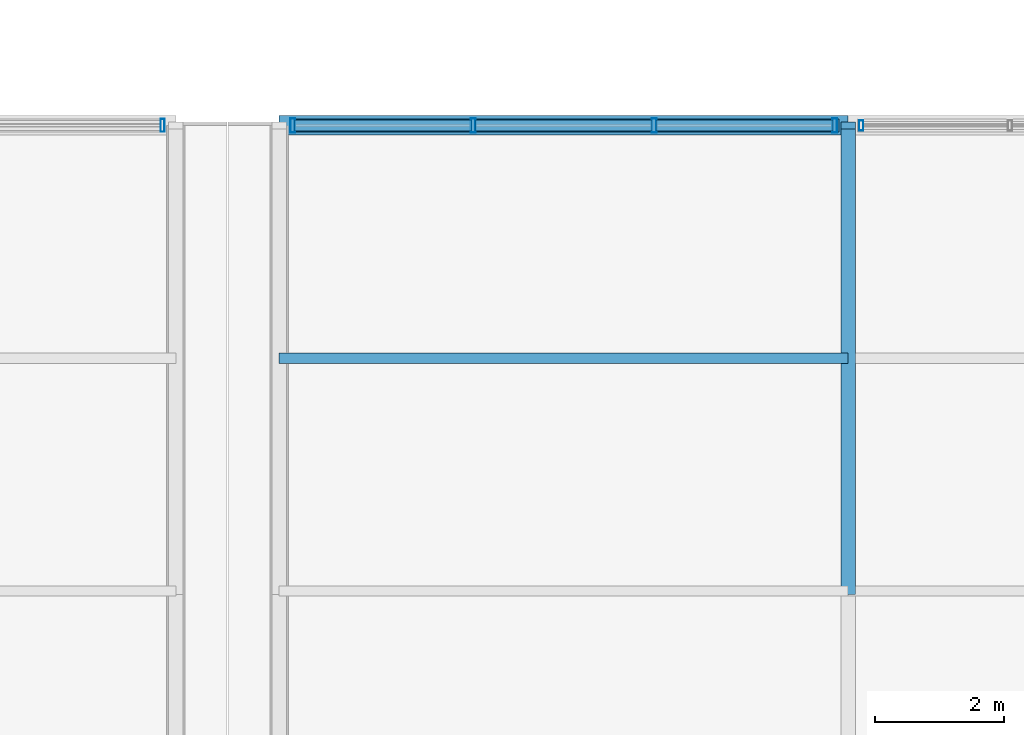
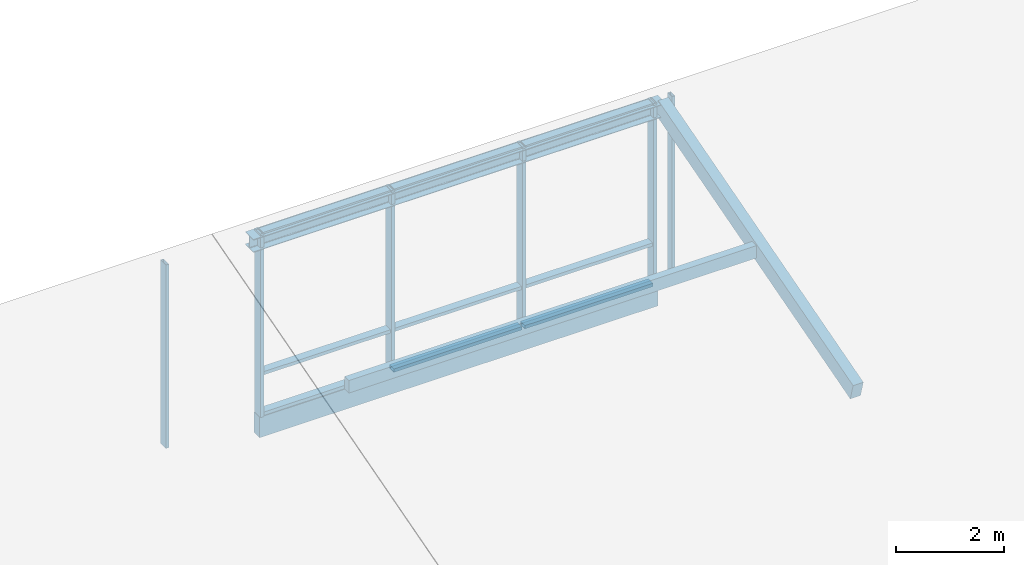
# One storey, part 16 of 32: 17 members, 2 beams, 3 elements without a shape of their own.
"""IFC4 building model written with IfcOpenShell, lengths in metres."""

from ifc_helpers import new_model, si_unit, direction, frame, origin, origin_2d, place, context, subcontext, project, spatial, rectangle, hollow_rectangle, i_section, extrude, material, material_profile, profile_set, type_object, element, aggregate, save


model = new_model("IFC4")

# Units and contexts
model_context = context("Model", 3, precision=1e-05, world=origin(), true_north=direction((0.0, 1.0)))
body_context = subcontext(model_context, "Body", "Model", "MODEL_VIEW")
ifc_project = project(units=[si_unit("LENGTHUNIT", "METRE"), si_unit("AREAUNIT", "SQUARE_METRE"), si_unit("VOLUMEUNIT", "CUBIC_METRE"), si_unit("PLANEANGLEUNIT", "RADIAN"), si_unit("MASSUNIT", "GRAM", prefix="KILO")], contexts=[model_context])

# Site, building, storey
site_placement = place(None, origin())
site = spatial("IfcSite", under=ifc_project, at=site_placement, CompositionType="ELEMENT")
building_placement = place(site_placement, origin())
building = spatial("IfcBuilding", under=site, at=building_placement, Name="Hawrajan Terrace Health Centre", CompositionType="ELEMENT")
storey_placement = place(building_placement, frame((0.0, 0.0, 17.39990234375)))
storey = spatial("IfcBuildingStorey", under=building, at=storey_placement, Name="L04", CompositionType="ELEMENT", Elevation=17.39990234375)

# Curtain wall, member
ifc_material_1 = material(Name="Anodized bronze aluminium and low-E solar glazing", Category="aluminium")
curtain_wall_type = type_object("IfcCurtainWallType", Name="CW_Clerestory_SeriesG2", PredefinedType="USERDEFINED", material=ifc_material_1)
curtain_wall_1_placement = place(storey_placement, origin())
curtain_wall_1 = element("IfcCurtainWall", 1, at=curtain_wall_1_placement, inside=storey, type_object=curtain_wall_type, Name="Curtain wall CW-L04-CLER-183", ObjectType="UNITISED CURTAIN WALL", PredefinedType="USERDEFINED")
ifc_material_2 = material(Name="Anodized bronze aluminium 6063-T6", Category="aluminium")
ifc_material_profile_1 = material_profile(ifc_material_2, hollow_rectangle(XDim=0.06494140625, YDim=0.159912109375, WallThickness=0.00390625, at=origin_2d()), Name="CW MUL 65x160")
ifc_profile_set_1 = profile_set([ifc_material_profile_1], Name="Anodized bronze aluminium 6063-T6")
member_type_1 = type_object("IfcMemberType", Name="CWMullion_65x160", PredefinedType="MULLION", material=ifc_profile_set_1)
member_1_placement = place(storey_placement, frame((81.6025390625, 18.60009765625, -0.204833984375), z_axis=(0.0, 0.0, 1.0), x_axis=(1.0, 0.0, 0.0)))
member_1 = element("IfcMember", 2, at=member_1_placement, type_object=member_type_1, Name="Mullion CW-L04-CLER-183-M1", PredefinedType="MULLION", context=body_context, shape_type="SweptSolid", body=[
    extrude(hollow_rectangle(XDim=0.06494140625, YDim=0.159912109375, WallThickness=0.00390625, at=origin_2d()), origin(), (0.0, 0.0, 1.0), 4.138916015625),
])
aggregate(curtain_wall_1, [member_1])

curtain_wall_2_placement = place(storey_placement, origin())
curtain_wall_2 = element("IfcCurtainWall", 3, at=curtain_wall_2_placement, inside=storey, type_object=curtain_wall_type, Name="Curtain wall CW-L04-CLER-181", ObjectType="UNITISED CURTAIN WALL", PredefinedType="USERDEFINED")
ifc_material_profile_2 = material_profile(ifc_material_2, hollow_rectangle(XDim=0.06494140625, YDim=0.199951171875, WallThickness=0.00439453125, at=origin_2d()), Name="CW MUL 65x200")
ifc_profile_set_2 = profile_set([ifc_material_profile_2], Name="Anodized bronze aluminium 6063-T6")
member_type_2 = type_object("IfcMemberType", Name="CWMullion_65x200", PredefinedType="MULLION", material=ifc_profile_set_2)
member_2_placement = place(storey_placement, frame((70.797607421875, 18.60009765625, -0.204833984375), z_axis=(0.0, 0.0, 1.0), x_axis=(1.0, 0.0, 0.0)))
member_2 = element("IfcMember", 4, at=member_2_placement, type_object=member_type_2, Name="Mullion CW-L04-CLER-181-M4", PredefinedType="MULLION", context=body_context, shape_type="SweptSolid", body=[
    extrude(hollow_rectangle(XDim=0.06494140625, YDim=0.199951171875, WallThickness=0.00439453125, at=origin_2d()), origin(), (0.0, 0.0, 1.0), 4.138916015625),
])
aggregate(curtain_wall_2, [member_2])

# Curtain wall, members
curtain_wall_3_placement = place(storey_placement, origin())
curtain_wall_3 = element("IfcCurtainWall", 5, at=curtain_wall_3_placement, inside=storey, type_object=curtain_wall_type, Name="Curtain wall CW-L04-CLER-182", ObjectType="UNITISED CURTAIN WALL", PredefinedType="USERDEFINED")
ifc_material_profile_3 = material_profile(ifc_material_2, hollow_rectangle(XDim=0.074951171875, YDim=0.219970703125, WallThickness=0.0048828125, at=origin_2d()), Name="CW MUL 75x220")
ifc_profile_set_3 = profile_set([ifc_material_profile_3], Name="Anodized bronze aluminium 6063-T6")
member_type_3 = type_object("IfcMemberType", Name="CWMullion_75x220", PredefinedType="MULLION", material=ifc_profile_set_3)
member_3_placement = place(storey_placement, frame((72.8076171875, 18.60009765625, -0.204833984375), z_axis=(0.0, 0.0, 1.0), x_axis=(1.0, 0.0, 0.0)))
member_3 = element("IfcMember", 6, at=member_3_placement, type_object=member_type_3, Name="Mullion CW-L04-CLER-182-M1", PredefinedType="MULLION", context=body_context, shape_type="SweptSolid", body=[
    extrude(hollow_rectangle(XDim=0.074951171875, YDim=0.219970703125, WallThickness=0.0048828125, at=origin_2d()), origin(), (0.0, 0.0, 1.0), 4.138916015625),
])
member_4_placement = place(storey_placement, frame((75.6025390625, 18.60009765625, -0.204833984375), z_axis=(0.0, 0.0, 1.0), x_axis=(1.0, 0.0, 0.0)))
member_4 = element("IfcMember", 7, at=member_4_placement, type_object=member_type_3, Name="Mullion CW-L04-CLER-182-M2", PredefinedType="MULLION", context=body_context, shape_type="SweptSolid", body=[
    extrude(hollow_rectangle(XDim=0.074951171875, YDim=0.219970703125, WallThickness=0.0048828125, at=origin_2d()), origin(), (0.0, 0.0, 1.0), 4.138916015625),
])
member_5_placement = place(storey_placement, frame((78.3974609375, 18.60009765625, -0.204833984375), z_axis=(0.0, 0.0, 1.0), x_axis=(1.0, 0.0, 0.0)))
member_5 = element("IfcMember", 8, at=member_5_placement, type_object=member_type_3, Name="Mullion CW-L04-CLER-182-M3", PredefinedType="MULLION", context=body_context, shape_type="SweptSolid", body=[
    extrude(hollow_rectangle(XDim=0.074951171875, YDim=0.219970703125, WallThickness=0.0048828125, at=origin_2d()), origin(), (0.0, 0.0, 1.0), 4.138916015625),
])
member_6_placement = place(storey_placement, frame((81.1923828125, 18.60009765625, -0.204833984375), z_axis=(0.0, 0.0, 1.0), x_axis=(1.0, 0.0, 0.0)))
member_6 = element("IfcMember", 9, at=member_6_placement, type_object=member_type_3, Name="Mullion CW-L04-CLER-182-M4", PredefinedType="MULLION", context=body_context, shape_type="SweptSolid", body=[
    extrude(hollow_rectangle(XDim=0.074951171875, YDim=0.219970703125, WallThickness=0.0048828125, at=origin_2d()), origin(), (0.0, 0.0, 1.0), 4.138916015625),
])
ifc_material_profile_4 = material_profile(ifc_material_2, hollow_rectangle(XDim=0.074951171875, YDim=0.169921875, WallThickness=0.00439453125, at=origin_2d()), Name="CW TRN 75x170")
ifc_profile_set_4 = profile_set([ifc_material_profile_4], Name="Anodized bronze aluminium 6063-T6")
member_type_4 = type_object("IfcMemberType", Name="CWTransom_75x170", PredefinedType="USERDEFINED", material=ifc_profile_set_4)
member_7_placement = place(storey_placement, frame((72.839111328125, 18.60009765625, -0.162353515625), z_axis=(1.0, 0.0, 0.0), x_axis=(0.0, 0.0, 1.0)))
member_7 = element("IfcMember", 10, at=member_7_placement, type_object=member_type_4, Name="Transom CW-L04-CLER-182-T1-1", ObjectType="TRANSOM", PredefinedType="USERDEFINED", context=body_context, shape_type="SweptSolid", body=[
    extrude(hollow_rectangle(XDim=0.074951171875, YDim=0.169921875, WallThickness=0.00439453125, at=origin_2d()), origin(), (0.0, 0.0, 1.0), 2.73193359375),
])
member_8_placement = place(storey_placement, frame((72.839111328125, 18.60009765625, 0.75), z_axis=(1.0, 0.0, 0.0), x_axis=(0.0, 0.0, 1.0)))
member_8 = element("IfcMember", 11, at=member_8_placement, type_object=member_type_4, Name="Transom CW-L04-CLER-182-T1-2", ObjectType="TRANSOM", PredefinedType="USERDEFINED", context=body_context, shape_type="SweptSolid", body=[
    extrude(hollow_rectangle(XDim=0.074951171875, YDim=0.169921875, WallThickness=0.00439453125, at=origin_2d()), origin(), (0.0, 0.0, 1.0), 2.73193359375),
])
member_9_placement = place(storey_placement, frame((72.839111328125, 18.60009765625, 3.8916015625), z_axis=(1.0, 0.0, 0.0), x_axis=(0.0, 0.0, 1.0)))
member_9 = element("IfcMember", 12, at=member_9_placement, type_object=member_type_4, Name="Transom CW-L04-CLER-182-T1-3", ObjectType="TRANSOM", PredefinedType="USERDEFINED", context=body_context, shape_type="SweptSolid", body=[
    extrude(hollow_rectangle(XDim=0.074951171875, YDim=0.169921875, WallThickness=0.00439453125, at=origin_2d()), origin(), (0.0, 0.0, 1.0), 2.73193359375),
])
member_10_placement = place(storey_placement, frame((75.634033203125, 18.60009765625, -0.162353515625), z_axis=(1.0, 0.0, 0.0), x_axis=(0.0, 0.0, 1.0)))
member_10 = element("IfcMember", 13, at=member_10_placement, type_object=member_type_4, Name="Transom CW-L04-CLER-182-T2-1", ObjectType="TRANSOM", PredefinedType="USERDEFINED", context=body_context, shape_type="SweptSolid", body=[
    extrude(hollow_rectangle(XDim=0.074951171875, YDim=0.169921875, WallThickness=0.00439453125, at=origin_2d()), origin(), (0.0, 0.0, 1.0), 2.73193359375),
])
member_11_placement = place(storey_placement, frame((75.634033203125, 18.60009765625, 0.75), z_axis=(1.0, 0.0, 0.0), x_axis=(0.0, 0.0, 1.0)))
member_11 = element("IfcMember", 14, at=member_11_placement, type_object=member_type_4, Name="Transom CW-L04-CLER-182-T2-2", ObjectType="TRANSOM", PredefinedType="USERDEFINED", context=body_context, shape_type="SweptSolid", body=[
    extrude(hollow_rectangle(XDim=0.074951171875, YDim=0.169921875, WallThickness=0.00439453125, at=origin_2d()), origin(), (0.0, 0.0, 1.0), 2.73193359375),
])
member_12_placement = place(storey_placement, frame((75.634033203125, 18.60009765625, 3.8916015625), z_axis=(1.0, 0.0, 0.0), x_axis=(0.0, 0.0, 1.0)))
member_12 = element("IfcMember", 15, at=member_12_placement, type_object=member_type_4, Name="Transom CW-L04-CLER-182-T2-3", ObjectType="TRANSOM", PredefinedType="USERDEFINED", context=body_context, shape_type="SweptSolid", body=[
    extrude(hollow_rectangle(XDim=0.074951171875, YDim=0.169921875, WallThickness=0.00439453125, at=origin_2d()), origin(), (0.0, 0.0, 1.0), 2.73193359375),
])
member_13_placement = place(storey_placement, frame((78.428955078125, 18.60009765625, -0.162353515625), z_axis=(1.0, 0.0, 0.0), x_axis=(0.0, 0.0, 1.0)))
member_13 = element("IfcMember", 16, at=member_13_placement, type_object=member_type_4, Name="Transom CW-L04-CLER-182-T3-1", ObjectType="TRANSOM", PredefinedType="USERDEFINED", context=body_context, shape_type="SweptSolid", body=[
    extrude(hollow_rectangle(XDim=0.074951171875, YDim=0.169921875, WallThickness=0.00439453125, at=origin_2d()), origin(), (0.0, 0.0, 1.0), 2.73193359375),
])
member_14_placement = place(storey_placement, frame((78.428955078125, 18.60009765625, 0.75), z_axis=(1.0, 0.0, 0.0), x_axis=(0.0, 0.0, 1.0)))
member_14 = element("IfcMember", 17, at=member_14_placement, type_object=member_type_4, Name="Transom CW-L04-CLER-182-T3-2", ObjectType="TRANSOM", PredefinedType="USERDEFINED", context=body_context, shape_type="SweptSolid", body=[
    extrude(hollow_rectangle(XDim=0.074951171875, YDim=0.169921875, WallThickness=0.00439453125, at=origin_2d()), origin(), (0.0, 0.0, 1.0), 2.73193359375),
])
member_15_placement = place(storey_placement, frame((78.428955078125, 18.60009765625, 3.8916015625), z_axis=(1.0, 0.0, 0.0), x_axis=(0.0, 0.0, 1.0)))
member_15 = element("IfcMember", 18, at=member_15_placement, type_object=member_type_4, Name="Transom CW-L04-CLER-182-T3-3", ObjectType="TRANSOM", PredefinedType="USERDEFINED", context=body_context, shape_type="SweptSolid", body=[
    extrude(hollow_rectangle(XDim=0.074951171875, YDim=0.169921875, WallThickness=0.00439453125, at=origin_2d()), origin(), (0.0, 0.0, 1.0), 2.73193359375),
])
aggregate(curtain_wall_3, [member_3, member_4, member_5, member_6, member_7, member_8, member_9, member_10, member_11, member_12, member_13, member_14, member_15])

# Beam
ifc_material_3 = material(Name="Glulam GL32h", Category="wood")
ifc_material_profile_5 = material_profile(ifc_material_3, rectangle(XDim=0.199951171875, YDim=0.4599609375, at=origin_2d()), Name="GL SP 200x460")
ifc_profile_set_5 = profile_set([ifc_material_profile_5], Name="Glulam GL32h")
beam_type_1 = type_object("IfcBeamType", Name="GlulamSpandrel_200x460", PredefinedType="SPANDREL", material=ifc_profile_set_5)
beam_1_placement = place(storey_placement, frame((72.760009765625, 18.60009765625, -0.429931640625), z_axis=(1.0, 0.0, 0.0), x_axis=(0.0, 1.0, 0.0)))
element("IfcBeam", 19, at=beam_1_placement, inside=storey, type_object=beam_type_1, Name="Beam BM-X-L04-C-10-Y3", PredefinedType="SPANDREL", context=body_context, shape_type="SweptSolid", body=[
    extrude(rectangle(XDim=0.199951171875, YDim=0.4599609375, at=origin_2d()), origin(), (0.0, 0.0, 1.0), 8.5),
])

# Members
ifc_material_4 = material(Name="Glulam GL28h", Category="wood")
ifc_material_profile_6 = material_profile(ifc_material_4, rectangle(XDim=0.159912109375, YDim=0.280029296875, at=origin_2d()), Name="GL PUR 160x280")
ifc_profile_set_6 = profile_set([ifc_material_profile_6], Name="Glulam GL28h")
member_type_5 = type_object("IfcMemberType", Name="RoofPurlin_160x280", PredefinedType="PURLIN", material=ifc_profile_set_6)
member_16_placement = place(storey_placement, frame((72.60009765625, 15.0, 2.717041015625), z_axis=(1.0, 0.0, 0.0), x_axis=(0.0, 1.0, 0.0)))
element("IfcMember", 20, at=member_16_placement, inside=storey, type_object=member_type_5, Name="North-light purlin C-1-3", PredefinedType="PURLIN", context=body_context, shape_type="SweptSolid", body=[
    extrude(rectangle(XDim=0.159912109375, YDim=0.280029296875, at=origin_2d()), origin(), (0.0, 0.0, 1.0), 8.7998046875),
])
ifc_material_profile_7 = material_profile(ifc_material_3, rectangle(XDim=0.219970703125, YDim=0.3798828125, at=origin_2d()), Name="GL CHD 220x380")
ifc_profile_set_7 = profile_set([ifc_material_profile_7], Name="Glulam GL32h")
member_type_6 = type_object("IfcMemberType", Name="RoofRafter_220x380", PredefinedType="RAFTER", material=ifc_profile_set_7)
member_17_placement = place(storey_placement, frame((81.39990234375, 11.39990234375, 1.684814453125), z_axis=(0.0, 0.961267697111, 0.275616426379), x_axis=(-1.0, 0.0, 0.0)))
element("IfcMember", 21, at=member_17_placement, inside=storey, type_object=member_type_6, Name="North-light rafter N C-G11", PredefinedType="RAFTER", context=body_context, shape_type="SweptSolid", body=[
    extrude(rectangle(XDim=0.219970703125, YDim=0.3798828125, at=origin_2d()), origin(), (0.0, 0.0, 1.0), 7.490234375),
])

# Beam
ifc_material_5 = material(Name="Steel S355", Category="steel")
ifc_material_profile_8 = material_profile(ifc_material_5, i_section(OverallWidth=0.300048828125, OverallDepth=0.2900390625, WebThickness=0.008544921875, FlangeThickness=0.013916015625, FilletRadius=0.027099609375, at=origin_2d()), Name="HEA 300")
ifc_profile_set_8 = profile_set([ifc_material_profile_8], Name="Steel S355")
beam_type_2 = type_object("IfcBeamType", Name="SteelBeam_HEA300", PredefinedType="BEAM", material=ifc_profile_set_8)
beam_2_placement = place(storey_placement, frame((72.60009765625, 18.60009765625, 3.749267578125), z_axis=(1.0, 0.0, 0.0), x_axis=(0.0, 1.0, 0.0)))
element("IfcBeam", 22, at=beam_2_placement, inside=storey, type_object=beam_type_2, Name="Clerestory head beam C-1", PredefinedType="BEAM", context=body_context, shape_type="SweptSolid", body=[
    extrude(i_section(OverallWidth=0.300048828125, OverallDepth=0.2900390625, WebThickness=0.008544921875, FlangeThickness=0.013916015625, FilletRadius=0.027099609375, at=origin_2d()), origin(), (0.0, 0.0, 1.0), 8.7998046875),
])

save(model, "model.ifc")
